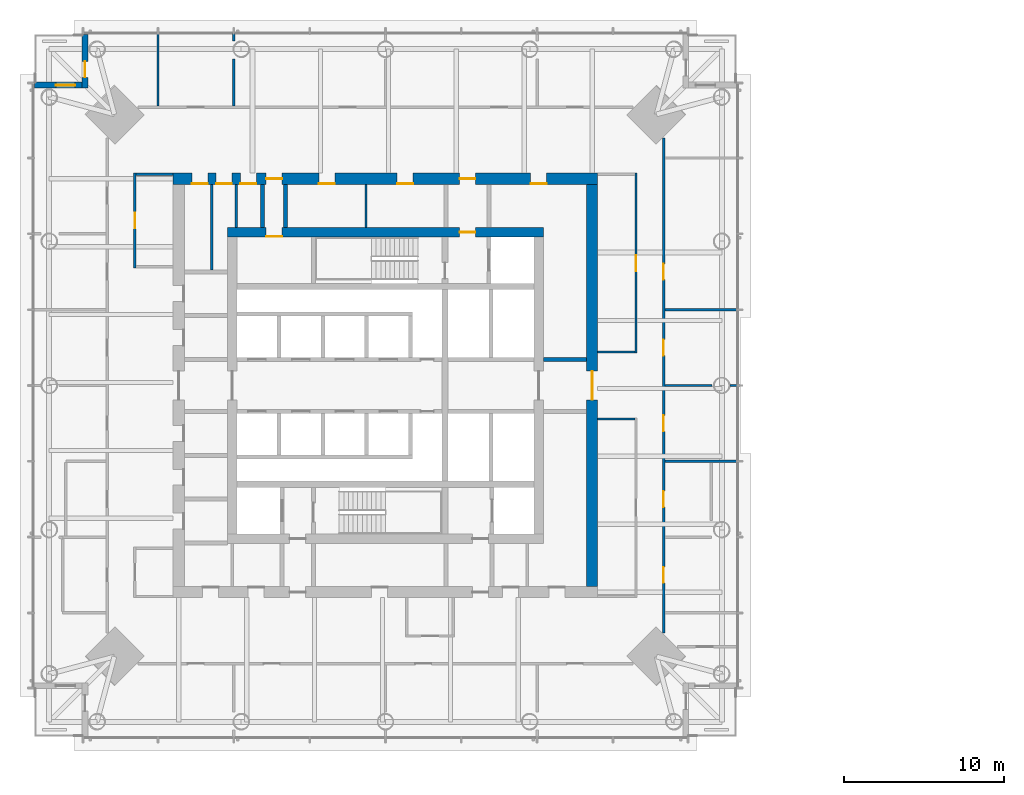
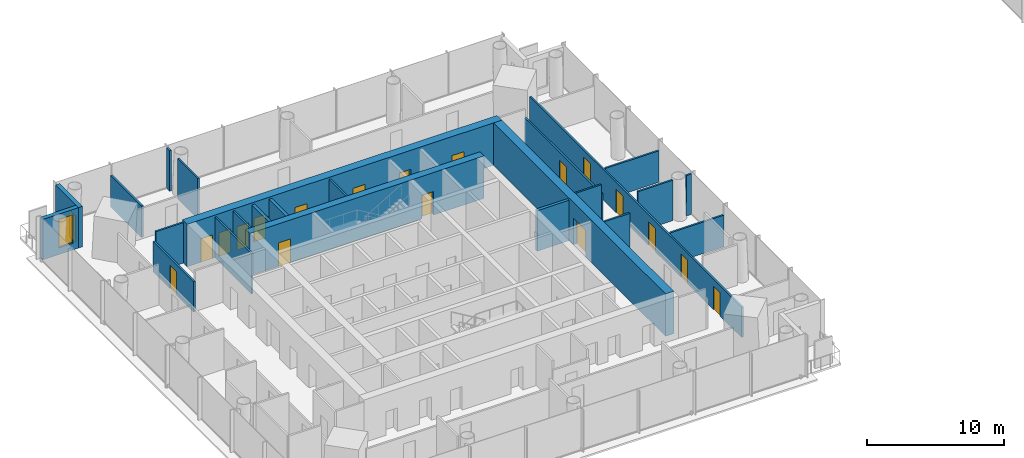
# One storey, part 11 of 27: 24 walls, 19 doors, 1 window, 20 openings.
"""IFC4 building model written with IfcOpenShell, lengths in metres."""

from ifc_helpers import new_model, si_unit, direction, frame, frame_2d, origin, place, context, subcontext, project, spatial, rectangle, extrude, material, layer, layer_set, type_object, element, fill, save


model = new_model("IFC4")

# Units and contexts
model_context = context("Model", 3, precision=1e-05, world=origin(), true_north=direction((0.0, 1.0)))
body_context = subcontext(model_context, "Body", "Model", "MODEL_VIEW")
ifc_project = project(units=[si_unit("LENGTHUNIT", "METRE"), si_unit("AREAUNIT", "SQUARE_METRE"), si_unit("VOLUMEUNIT", "CUBIC_METRE"), si_unit("PLANEANGLEUNIT", "RADIAN"), si_unit("MASSUNIT", "GRAM", prefix="KILO")], contexts=[model_context])

# Site, building, storey
site_placement = place(None, origin())
site = spatial("IfcSite", under=ifc_project, at=site_placement, CompositionType="ELEMENT")
building_placement = place(site_placement, origin())
building = spatial("IfcBuilding", under=site, at=building_placement, Name="Ostroluk Exchange", CompositionType="ELEMENT")
storey_placement = place(building_placement, frame((0.0, 0.0, 112.199951171875)))
storey = spatial("IfcBuildingStorey", under=building, at=storey_placement, Name="L28", CompositionType="ELEMENT", Elevation=112.199951171875)

# Walls
ifc_material_1 = material(Name="Concrete blockwork", Category="masonry")
ifc_layer_1 = layer(ifc_material_1, 0.14990234375)
ifc_layer_set_1 = layer_set([ifc_layer_1], Name="Blockwork plant room wall 150")
wall_type_1 = type_object("IfcWallType", Name="Blockwork plant room wall 150", PredefinedType="SOLIDWALL", material=ifc_layer_set_1)
wall_1_placement = place(storey_placement, frame((34.118896484375, 53.25, 0.0), z_axis=(0.0, 0.0, 1.0), x_axis=(0.0, 1.0, 0.0)))
element("IfcWall", 1, at=wall_1_placement, inside=storey, type_object=wall_type_1, Name="Core room wall", PredefinedType="SOLIDWALL", context=body_context, shape_type="SweptSolid", body=[
    extrude(rectangle(XDim=5.35009765625, YDim=0.14990234375, at=frame_2d((2.675048828125, 0.0))), origin(), (0.0, 0.0, 1.0), 3.6201171875),
])
for number, where, z_axis, x_axis, name in (
    (2, (35.64697265625, 55.89990234375, 0.0), (0.0, 0.0, 1.0), (0.0, 1.0, 0.0), "Core room wall"),
    (3, (43.777587890625, 55.89990234375, 0.0), (0.0, 0.0, 1.0), (0.0, 1.0, 0.0), "Core room wall"),
):
    element("IfcWall", number, at=place(storey_placement, frame(where, z_axis=z_axis, x_axis=x_axis)), inside=storey, type_object=wall_type_1, Name=name, PredefinedType="SOLIDWALL", context=body_context, shape_type="SweptSolid", body=[
        extrude(rectangle(XDim=2.7001953125, YDim=0.14990234375, at=frame_2d((1.35009765625, 0.0))), origin(), (0.0, 0.0, 1.0), 3.6201171875),
    ])
ifc_material_2 = material(Name="Concrete blockwork", Category="masonry")
ifc_layer_2 = layer(ifc_material_2, 0.25)
ifc_layer_set_2 = layer_set([ifc_layer_2], Name="Blockwork stair enclosure wall 250")
wall_type_2 = type_object("IfcWallType", Name="Blockwork stair enclosure wall 250", PredefinedType="SOLIDWALL", material=ifc_layer_set_2)
for number, where, z_axis, x_axis, name in (
    (4, (54.89990234375, 47.625, 0.0), (0.0, 0.0, 1.0), (1.0, 0.0, 0.0), "Lift lobby enclosure wall"),
    (5, (37.300048828125, 55.89990234375, 0.0), (0.0, 0.0, 1.0), (0.0, 1.0, 0.0), "Core corridor wall"),
    (6, (38.75, 55.89990234375, 0.0), (0.0, 0.0, 1.0), (0.0, 1.0, 0.0), "Core corridor wall"),
):
    element("IfcWall", number, at=place(storey_placement, frame(where, z_axis=z_axis, x_axis=x_axis)), inside=storey, type_object=wall_type_2, Name=name, PredefinedType="SOLIDWALL", context=body_context, shape_type="SweptSolid", body=[
        extrude(rectangle(XDim=2.7001953125, YDim=0.25, at=frame_2d((1.35009765625, 0.0))), origin(), (0.0, 0.0, 1.0), 3.6201171875),
    ])

# Wall, openings, doors
ifc_material_3 = material(Name="Concrete C50/60", Category="concrete")
ifc_layer_3 = layer(ifc_material_3, 0.60009765625)
ifc_layer_set_3 = layer_set([ifc_layer_3], Name="Core wall 600 C50/60")
wall_type_3 = type_object("IfcWallType", Name="Core wall 600 C50/60", PredefinedType="SHEAR", material=ifc_layer_set_3)
wall_2_placement = place(storey_placement, frame((35.10009765625, 55.60009765625, 0.0), z_axis=(0.0, 0.0, 1.0), x_axis=(1.0, 0.0, 0.0)))
wall_2 = element("IfcWall", 7, at=wall_2_placement, inside=storey, type_object=wall_type_3, Name="T1 core wall N", PredefinedType="SHEAR", context=body_context, shape_type="SweptSolid", body=[
    extrude(rectangle(XDim=19.7998046875, YDim=0.60009765625, at=frame_2d((9.89990234375, 0.0))), origin(), (0.0, 0.0, 1.0), 3.800048828125),
])
opening_1_placement = place(wall_2_placement, frame((14.5400390625, 0.0, 0.0)))
opening_1 = element("IfcOpeningElement", 8, at=opening_1_placement, cuts=wall_2, Name="Opening FD60", PredefinedType="OPENING", context=body_context, shape_type="SweptSolid", body=[
    extrude(rectangle(XDim=1.0, YDim=2.10009765625, at=frame_2d((0.5, 1.050048828125))), frame((0.0, 0.31005859375, 0.0), z_axis=(0.0, -1.0, 0.0), x_axis=(1.0, 0.0, 0.0)), (0.0, 0.0, 1.0), 0.6201171875),
])
opening_2_placement = place(wall_2_placement, frame((2.425048828125, 0.0, 0.0)))
opening_2 = element("IfcOpeningElement", 9, at=opening_2_placement, cuts=wall_2, Name="Opening FD60", PredefinedType="OPENING", context=body_context, shape_type="SweptSolid", body=[
    extrude(rectangle(XDim=1.0, YDim=2.10009765625, at=frame_2d((0.5, 1.050048828125))), frame((0.0, 0.31005859375, 0.0), z_axis=(0.0, -1.0, 0.0), x_axis=(1.0, 0.0, 0.0)), (0.0, 0.0, 1.0), 0.6201171875),
])
ifc_material_4 = material(Name="Steel", Category="steel")
door_type_1 = type_object("IfcDoorType", Name="Fire door EI 60 1000 x 2100", OperationType="SINGLE_SWING_LEFT", PredefinedType="DOOR", material=ifc_material_4)
door_1_placement = place(opening_1_placement, origin())
door_1 = element("IfcDoor", 10, at=door_1_placement, inside=storey, type_object=door_type_1, Name="Firefighting lobby door", OperationType="SINGLE_SWING_RIGHT", OverallHeight=2.10009765625, OverallWidth=1.0, PredefinedType="DOOR", context=body_context, shape_type="SweptSolid", body=[
    extrude(rectangle(XDim=1.0, YDim=2.10009765625, at=frame_2d((0.5, 1.050048828125))), frame((0.0, 0.02490234375, 0.0), z_axis=(0.0, -1.0, 0.0), x_axis=(1.0, 0.0, 0.0)), (0.0, 0.0, 1.0), 0.050048828125),
])
fill(opening_1, door_1)
door_2_placement = place(opening_2_placement, origin())
door_2 = element("IfcDoor", 11, at=door_2_placement, inside=storey, type_object=door_type_1, Name="Tea point door", OperationType="SINGLE_SWING_LEFT", OverallHeight=2.10009765625, OverallWidth=1.0, PredefinedType="DOOR", context=body_context, shape_type="SweptSolid", body=[
    extrude(rectangle(XDim=1.0, YDim=2.10009765625, at=frame_2d((0.5, 1.050048828125))), frame((0.0, -0.23974609375, 0.0), z_axis=(0.0, -1.0, 0.0), x_axis=(1.0, 0.0, 0.0)), (0.0, 0.0, 1.0), 0.050048828125),
])
fill(opening_2, door_2)

ifc_material_5 = material(Name="Concrete C50/60", Category="concrete")
ifc_layer_4 = layer(ifc_material_5, 0.699951171875)
ifc_layer_set_4 = layer_set([ifc_layer_4], Name="Core wall 700 C50/60")
wall_type_4 = type_object("IfcWallType", Name="Core wall 700 C50/60", PredefinedType="SHEAR", material=ifc_layer_set_4)
wall_3_placement = place(storey_placement, frame((31.699951171875, 58.949951171875, 0.0), z_axis=(0.0, 0.0, 1.0), x_axis=(1.0, 0.0, 0.0)))
wall_3 = element("IfcWall", 12, at=wall_3_placement, inside=storey, type_object=wall_type_4, Name="T1 core wall RN", PredefinedType="SHEAR", context=body_context, shape_type="SweptSolid", body=[
    extrude(rectangle(XDim=26.60009765625, YDim=0.699951171875, at=frame_2d((13.300048828125, 0.0))), origin(), (0.0, 0.0, 1.0), 3.800048828125),
])
opening_3_placement = place(wall_3_placement, frame((17.93994140625, 0.0, 0.0)))
opening_3 = element("IfcOpeningElement", 13, at=opening_3_placement, cuts=wall_3, Name="Opening FD60", PredefinedType="OPENING", context=body_context, shape_type="SweptSolid", body=[
    extrude(rectangle(XDim=1.0, YDim=2.10009765625, at=frame_2d((0.5, 1.050048828125))), frame((0.0, 0.35986328125, 0.0), z_axis=(0.0, -1.0, 0.0), x_axis=(1.0, 0.0, 0.0)), (0.0, 0.0, 1.0), 0.719970703125),
])
opening_4_placement = place(wall_3_placement, frame((5.824951171875, 0.0, 0.0)))
opening_4 = element("IfcOpeningElement", 14, at=opening_4_placement, cuts=wall_3, Name="Opening FD60", PredefinedType="OPENING", context=body_context, shape_type="SweptSolid", body=[
    extrude(rectangle(XDim=1.0, YDim=2.10009765625, at=frame_2d((0.5, 1.050048828125))), frame((0.0, 0.35986328125, 0.0), z_axis=(0.0, -1.0, 0.0), x_axis=(1.0, 0.0, 0.0)), (0.0, 0.0, 1.0), 0.719970703125),
])
opening_5_placement = place(wall_3_placement, frame((1.1689453125, 0.0, 0.0)))
opening_5 = element("IfcOpeningElement", 15, at=opening_5_placement, cuts=wall_3, Name="Opening FD60", PredefinedType="OPENING", context=body_context, shape_type="SweptSolid", body=[
    extrude(rectangle(XDim=1.0, YDim=2.10009765625, at=frame_2d((0.5, 1.050048828125))), frame((0.0, 0.35986328125, 0.0), z_axis=(0.0, -1.0, 0.0), x_axis=(1.0, 0.0, 0.0)), (0.0, 0.0, 1.0), 0.719970703125),
])
opening_6_placement = place(wall_3_placement, frame((2.68310546875, 0.0, 0.0)))
opening_6 = element("IfcOpeningElement", 16, at=opening_6_placement, cuts=wall_3, Name="Opening FD60", PredefinedType="OPENING", context=body_context, shape_type="SweptSolid", body=[
    extrude(rectangle(XDim=1.0, YDim=2.10009765625, at=frame_2d((0.5, 1.050048828125))), frame((0.0, 0.35986328125, 0.0), z_axis=(0.0, -1.0, 0.0), x_axis=(1.0, 0.0, 0.0)), (0.0, 0.0, 1.0), 0.719970703125),
])
opening_7_placement = place(wall_3_placement, frame((4.2109375, 0.0, 0.0)))
opening_7 = element("IfcOpeningElement", 17, at=opening_7_placement, cuts=wall_3, Name="Opening FD60", PredefinedType="OPENING", context=body_context, shape_type="SweptSolid", body=[
    extrude(rectangle(XDim=1.0, YDim=2.10009765625, at=frame_2d((0.5, 1.050048828125))), frame((0.0, 0.35986328125, 0.0), z_axis=(0.0, -1.0, 0.0), x_axis=(1.0, 0.0, 0.0)), (0.0, 0.0, 1.0), 0.719970703125),
])
opening_8_placement = place(wall_3_placement, frame((9.126220703125, 0.0, 0.0)))
opening_8 = element("IfcOpeningElement", 18, at=opening_8_placement, cuts=wall_3, Name="Opening FD60", PredefinedType="OPENING", context=body_context, shape_type="SweptSolid", body=[
    extrude(rectangle(XDim=1.0, YDim=2.10009765625, at=frame_2d((0.5, 1.050048828125))), frame((0.0, 0.35986328125, 0.0), z_axis=(0.0, -1.0, 0.0), x_axis=(1.0, 0.0, 0.0)), (0.0, 0.0, 1.0), 0.719970703125),
])
opening_9_placement = place(wall_3_placement, frame((14.02880859375, 0.0, 0.0)))
opening_9 = element("IfcOpeningElement", 19, at=opening_9_placement, cuts=wall_3, Name="Opening FD60", PredefinedType="OPENING", context=body_context, shape_type="SweptSolid", body=[
    extrude(rectangle(XDim=1.0, YDim=2.10009765625, at=frame_2d((0.5, 1.050048828125))), frame((0.0, 0.35986328125, 0.0), z_axis=(0.0, -1.0, 0.0), x_axis=(1.0, 0.0, 0.0)), (0.0, 0.0, 1.0), 0.719970703125),
])
opening_10_placement = place(wall_3_placement, frame((22.39990234375, 0.0, 0.0)))
opening_10 = element("IfcOpeningElement", 20, at=opening_10_placement, cuts=wall_3, Name="Opening FD60", PredefinedType="OPENING", context=body_context, shape_type="SweptSolid", body=[
    extrude(rectangle(XDim=1.0, YDim=2.10009765625, at=frame_2d((0.5, 1.050048828125))), frame((0.0, 0.35986328125, 0.0), z_axis=(0.0, -1.0, 0.0), x_axis=(1.0, 0.0, 0.0)), (0.0, 0.0, 1.0), 0.719970703125),
])
door_3_placement = place(opening_3_placement, origin())
door_3 = element("IfcDoor", 21, at=door_3_placement, inside=storey, type_object=door_type_1, Name="Firefighting lobby door", OperationType="SINGLE_SWING_RIGHT", OverallHeight=2.10009765625, OverallWidth=1.0, PredefinedType="DOOR", context=body_context, shape_type="SweptSolid", body=[
    extrude(rectangle(XDim=1.0, YDim=2.10009765625, at=frame_2d((0.5, 1.050048828125))), frame((0.0, 0.02490234375, 0.0), z_axis=(0.0, -1.0, 0.0), x_axis=(1.0, 0.0, 0.0)), (0.0, 0.0, 1.0), 0.050048828125),
])
fill(opening_3, door_3)
door_4_placement = place(opening_4_placement, origin())
door_4 = element("IfcDoor", 22, at=door_4_placement, inside=storey, type_object=door_type_1, Name="Core corridor door", OperationType="SINGLE_SWING_LEFT", OverallHeight=2.10009765625, OverallWidth=1.0, PredefinedType="DOOR", context=body_context, shape_type="SweptSolid", body=[
    extrude(rectangle(XDim=1.0, YDim=2.10009765625, at=frame_2d((0.5, 1.050048828125))), frame((0.0, 0.02490234375, 0.0), z_axis=(0.0, -1.0, 0.0), x_axis=(1.0, 0.0, 0.0)), (0.0, 0.0, 1.0), 0.050048828125),
])
fill(opening_4, door_4)
door_5_placement = place(opening_5_placement, origin())
door_5 = element("IfcDoor", 23, at=door_5_placement, inside=storey, type_object=door_type_1, Name="Tenant IT room door", OperationType="SINGLE_SWING_LEFT", OverallHeight=2.10009765625, OverallWidth=1.0, PredefinedType="DOOR", context=body_context, shape_type="SweptSolid", body=[
    extrude(rectangle(XDim=1.0, YDim=2.10009765625, at=frame_2d((0.5, 1.050048828125))), frame((0.0, -0.2900390625, 0.0), z_axis=(0.0, -1.0, 0.0), x_axis=(1.0, 0.0, 0.0)), (0.0, 0.0, 1.0), 0.050048828125),
])
fill(opening_5, door_5)
door_6_placement = place(opening_6_placement, origin())
door_6 = element("IfcDoor", 24, at=door_6_placement, inside=storey, type_object=door_type_1, Name="First aid room door", OperationType="SINGLE_SWING_LEFT", OverallHeight=2.10009765625, OverallWidth=1.0, PredefinedType="DOOR", context=body_context, shape_type="SweptSolid", body=[
    extrude(rectangle(XDim=1.0, YDim=2.10009765625, at=frame_2d((0.5, 1.050048828125))), frame((0.0, -0.2900390625, 0.0), z_axis=(0.0, -1.0, 0.0), x_axis=(1.0, 0.0, 0.0)), (0.0, 0.0, 1.0), 0.050048828125),
])
fill(opening_6, door_6)
door_7_placement = place(opening_7_placement, origin())
door_7 = element("IfcDoor", 25, at=door_7_placement, inside=storey, type_object=door_type_1, Name="Store door", OperationType="SINGLE_SWING_LEFT", OverallHeight=2.10009765625, OverallWidth=1.0, PredefinedType="DOOR", context=body_context, shape_type="SweptSolid", body=[
    extrude(rectangle(XDim=1.0, YDim=2.10009765625, at=frame_2d((0.5, 1.050048828125))), frame((0.0, -0.2900390625, 0.0), z_axis=(0.0, -1.0, 0.0), x_axis=(1.0, 0.0, 0.0)), (0.0, 0.0, 1.0), 0.050048828125),
])
fill(opening_7, door_7)
door_8_placement = place(opening_8_placement, origin())
door_8 = element("IfcDoor", 26, at=door_8_placement, inside=storey, type_object=door_type_1, Name="Print and post room door", OperationType="SINGLE_SWING_LEFT", OverallHeight=2.10009765625, OverallWidth=1.0, PredefinedType="DOOR", context=body_context, shape_type="SweptSolid", body=[
    extrude(rectangle(XDim=1.0, YDim=2.10009765625, at=frame_2d((0.5, 1.050048828125))), frame((0.0, -0.2900390625, 0.0), z_axis=(0.0, -1.0, 0.0), x_axis=(1.0, 0.0, 0.0)), (0.0, 0.0, 1.0), 0.050048828125),
])
fill(opening_8, door_8)
door_9_placement = place(opening_9_placement, origin())
door_9 = element("IfcDoor", 27, at=door_9_placement, inside=storey, type_object=door_type_1, Name="Archive door", OperationType="SINGLE_SWING_RIGHT", OverallHeight=2.10009765625, OverallWidth=1.0, PredefinedType="DOOR", context=body_context, shape_type="SweptSolid", body=[
    extrude(rectangle(XDim=1.0, YDim=2.10009765625, at=frame_2d((0.5, 1.050048828125))), frame((0.0, -0.2900390625, 0.0), z_axis=(0.0, -1.0, 0.0), x_axis=(1.0, 0.0, 0.0)), (0.0, 0.0, 1.0), 0.050048828125),
])
fill(opening_9, door_9)
door_10_placement = place(opening_10_placement, origin())
door_10 = element("IfcDoor", 28, at=door_10_placement, inside=storey, type_object=door_type_1, Name="First aid room door", OperationType="SINGLE_SWING_RIGHT", OverallHeight=2.10009765625, OverallWidth=1.0, PredefinedType="DOOR", context=body_context, shape_type="SweptSolid", body=[
    extrude(rectangle(XDim=1.0, YDim=2.10009765625, at=frame_2d((0.5, 1.050048828125))), frame((0.0, -0.2900390625, 0.0), z_axis=(0.0, -1.0, 0.0), x_axis=(1.0, 0.0, 0.0)), (0.0, 0.0, 1.0), 0.050048828125),
])
fill(opening_10, door_10)

# Wall, opening, door
wall_4_placement = place(storey_placement, frame((57.949951171875, 33.39990234375, 0.0), z_axis=(0.0, 0.0, 1.0), x_axis=(0.0, 1.0, 0.0)))
wall_4 = element("IfcWall", 29, at=wall_4_placement, inside=storey, type_object=wall_type_4, Name="T1 core wall RE", PredefinedType="SHEAR", context=body_context, shape_type="SweptSolid", body=[
    extrude(rectangle(XDim=25.2001953125, YDim=0.699951171875, at=frame_2d((12.60009765625, 0.0))), origin(), (0.0, 0.0, 1.0), 3.800048828125),
])
opening_11_placement = place(wall_4_placement, frame((11.699951171875, 0.0, 0.0)))
opening_11 = element("IfcOpeningElement", 30, at=opening_11_placement, cuts=wall_4, Name="Opening FD30D", PredefinedType="OPENING", context=body_context, shape_type="SweptSolid", body=[
    extrude(rectangle(XDim=1.800048828125, YDim=2.39990234375, at=frame_2d((0.89990234375, 1.199951171875))), frame((0.0, 0.35986328125, 0.0), z_axis=(0.0, -1.0, 0.0), x_axis=(1.0, 0.0, 0.0)), (0.0, 0.0, 1.0), 0.719970703125),
])
ifc_material_6 = material(Name="Timber", Category="wood")
door_type_2 = type_object("IfcDoorType", Name="Lobby double door EI 30 1800 x 2400", OperationType="DOUBLE_DOOR_SINGLE_SWING", PredefinedType="DOOR", material=ifc_material_6)
door_11_placement = place(opening_11_placement, origin())
door_11 = element("IfcDoor", 31, at=door_11_placement, inside=storey, type_object=door_type_2, Name="Lift lobby doors", OperationType="DOUBLE_DOOR_SINGLE_SWING", OverallHeight=2.39990234375, OverallWidth=1.800048828125, PredefinedType="DOOR", context=body_context, shape_type="SweptSolid", body=[
    extrude(rectangle(XDim=1.800048828125, YDim=2.39990234375, at=frame_2d((0.89990234375, 1.199951171875))), frame((0.0, 0.02490234375, 0.0), z_axis=(0.0, -1.0, 0.0), x_axis=(1.0, 0.0, 0.0)), (0.0, 0.0, 1.0), 0.050048828125),
])
fill(opening_11, door_11)

ifc_material_7 = material(Name="Limestone", Category="masonry")
ifc_layer_5 = layer(ifc_material_7, 0.35009765625)
ifc_layer_set_5 = layer_set([ifc_layer_5], Name="Limestone facade wall 350")
wall_type_5 = type_object("IfcWallType", Name="Limestone facade wall 350", PredefinedType="SOLIDWALL", material=ifc_layer_set_5)
wall_5_placement = place(storey_placement, frame((26.175048828125, 68.0, 0.0), z_axis=(0.0, 0.0, 1.0), x_axis=(0.0, -1.0, 0.0)))
wall_5 = element("IfcWall", 32, at=wall_5_placement, inside=storey, type_object=wall_type_5, Name="Office tower NW corner wall L28 a", PredefinedType="SOLIDWALL", context=body_context, shape_type="SweptSolid", body=[
    extrude(rectangle(XDim=3.35009765625, YDim=0.35009765625, at=frame_2d((1.675048828125, 0.0))), origin(), (0.0, 0.0, 1.0), 3.6201171875),
])
opening_12_placement = place(wall_5_placement, frame((1.699951171875, 0.0, 0.0)))
opening_12 = element("IfcOpeningElement", 33, at=opening_12_placement, cuts=wall_5, Name="Opening D-B1", PredefinedType="OPENING", context=body_context, shape_type="SweptSolid", body=[
    extrude(rectangle(XDim=1.0, YDim=2.39990234375, at=frame_2d((0.5, 1.199951171875))), frame((0.0, 0.18505859375, 0.0), z_axis=(0.0, -1.0, 0.0), x_axis=(1.0, 0.0, 0.0)), (0.0, 0.0, 1.0), 0.3701171875),
])
ifc_material_8 = material(Name="Bronze framed glazed door", Category="aluminium")
door_type_3 = type_object("IfcDoorType", Name="Balcony door 1000 x 2400", OperationType="SINGLE_SWING_LEFT", PredefinedType="DOOR", material=ifc_material_8)
door_12_placement = place(opening_12_placement, origin())
door_12 = element("IfcDoor", 34, at=door_12_placement, inside=storey, type_object=door_type_3, Name="Office tower NW balcony door L28", OperationType="SINGLE_SWING_RIGHT", OverallHeight=2.39990234375, OverallWidth=1.0, PredefinedType="DOOR", context=body_context, shape_type="SweptSolid", body=[
    extrude(rectangle(XDim=1.0, YDim=2.39990234375, at=frame_2d((0.5, 1.199951171875))), frame((0.0, 0.02490234375, 0.0), z_axis=(0.0, -1.0, 0.0), x_axis=(1.0, 0.0, 0.0)), (0.0, 0.0, 1.0), 0.050048828125),
])
fill(opening_12, door_12)

# Wall, opening, window
wall_6_placement = place(storey_placement, frame((26.0, 64.824951171875, 0.0), z_axis=(0.0, 0.0, 1.0), x_axis=(-1.0, 0.0, 0.0)))
wall_6 = element("IfcWall", 35, at=wall_6_placement, inside=storey, type_object=wall_type_5, Name="Office tower NW corner wall L28 b", PredefinedType="SOLIDWALL", context=body_context, shape_type="SweptSolid", body=[
    extrude(rectangle(XDim=3.0, YDim=0.35009765625, at=frame_2d((1.5, 0.0))), origin(), (0.0, 0.0, 1.0), 3.6201171875),
])
opening_13_placement = place(wall_6_placement, frame((0.449951171875, 0.0, 0.60009765625)))
opening_13 = element("IfcOpeningElement", 36, at=opening_13_placement, cuts=wall_6, Name="Opening WN-L1", PredefinedType="OPENING", context=body_context, shape_type="SweptSolid", body=[
    extrude(rectangle(XDim=1.199951171875, YDim=2.550048828125, at=frame_2d((0.60009765625, 1.27490234375))), frame((0.0, 0.18505859375, 0.0), z_axis=(0.0, -1.0, 0.0), x_axis=(1.0, 0.0, 0.0)), (0.0, 0.0, 1.0), 0.3701171875),
])
ifc_material_9 = material(Name="Laminated clear glass", Category="glass")
window_type = type_object("IfcWindowType", Name="Lancet window 1200 x 2550", PartitioningType="SINGLE_PANEL", PredefinedType="WINDOW", material=ifc_material_9)
window_placement = place(opening_13_placement, origin())
window = element("IfcWindow", 37, at=window_placement, inside=storey, type_object=window_type, Name="Office tower NW lancet window L28", OverallHeight=2.550048828125, OverallWidth=1.199951171875, PartitioningType="SINGLE_PANEL", PredefinedType="WINDOW", context=body_context, shape_type="SweptSolid", body=[
    extrude(rectangle(XDim=1.199951171875, YDim=2.550048828125, at=frame_2d((0.60009765625, 1.27490234375))), frame((0.0, 0.030029296875, 0.0), z_axis=(0.0, -1.0, 0.0), x_axis=(1.0, 0.0, 0.0)), (0.0, 0.0, 1.0), 0.06005859375),
])
fill(opening_13, window)

# Wall
ifc_material_10 = material(Name="Gypsum plasterboard partition", Category="gypsum")
ifc_layer_6 = layer(ifc_material_10, 0.14990234375)
ifc_layer_set_6 = layer_set([ifc_layer_6], Name="Plasterboard partition 150")
wall_type_6 = type_object("IfcWallType", Name="Plasterboard partition 150", PredefinedType="PARTITIONING", material=ifc_layer_set_6)
wall_7_placement = place(storey_placement, frame((58.300048828125, 43.89990234375, 0.0), z_axis=(0.0, 0.0, 1.0), x_axis=(1.0, 0.0, 0.0)))
element("IfcWall", 38, at=wall_7_placement, inside=storey, type_object=wall_type_6, Name="Partition", PredefinedType="PARTITIONING", context=body_context, shape_type="SweptSolid", body=[
    extrude(rectangle(XDim=2.324951171875, YDim=0.14990234375, at=frame_2d((1.16259765625, 0.0))), origin(), (0.0, 0.0, 1.0), 3.6201171875),
])

# Wall, opening, door
wall_8_placement = place(storey_placement, frame((60.699951171875, 48.02490234375, 0.0), z_axis=(0.0, 0.0, 1.0), x_axis=(0.0, 1.0, 0.0)))
wall_8 = element("IfcWall", 39, at=wall_8_placement, inside=storey, type_object=wall_type_6, Name="Partition", PredefinedType="PARTITIONING", context=body_context, shape_type="SweptSolid", body=[
    extrude(rectangle(XDim=11.275146484375, YDim=0.14990234375, at=frame_2d((5.6376953125, 0.0))), origin(), (0.0, 0.0, 1.0), 2.80615234375),
])
opening_14_placement = place(wall_8_placement, frame((5.137451171875, 0.0, 0.0)))
opening_14 = element("IfcOpeningElement", 40, at=opening_14_placement, cuts=wall_8, Name="Opening D-03", PredefinedType="OPENING", context=body_context, shape_type="SweptSolid", body=[
    extrude(rectangle(XDim=1.0, YDim=2.10009765625, at=frame_2d((0.5, 1.050048828125))), frame((0.0, 0.0849609375, 0.0), z_axis=(0.0, -1.0, 0.0), x_axis=(1.0, 0.0, 0.0)), (0.0, 0.0, 1.0), 0.169921875),
])
ifc_material_11 = material(Name="Timber", Category="wood")
door_type_4 = type_object("IfcDoorType", Name="Internal door 1000 x 2100", OperationType="SINGLE_SWING_LEFT", PredefinedType="DOOR", material=ifc_material_11)
door_13_placement = place(opening_14_placement, origin())
door_13 = element("IfcDoor", 41, at=door_13_placement, inside=storey, type_object=door_type_4, Name="Project room door", OperationType="SINGLE_SWING_RIGHT", OverallHeight=2.10009765625, OverallWidth=1.0, PredefinedType="DOOR", context=body_context, shape_type="SweptSolid", body=[
    extrude(rectangle(XDim=1.0, YDim=2.10009765625, at=frame_2d((0.5, 1.050048828125))), frame((0.0, 0.02490234375, 0.0), z_axis=(0.0, -1.0, 0.0), x_axis=(1.0, 0.0, 0.0)), (0.0, 0.0, 1.0), 0.050048828125),
])
fill(opening_14, door_13)

# Wall
wall_9_placement = place(storey_placement, frame((58.300048828125, 48.10009765625, 0.0), z_axis=(0.0, 0.0, 1.0), x_axis=(1.0, 0.0, 0.0)))
element("IfcWall", 42, at=wall_9_placement, inside=storey, type_object=wall_type_6, Name="Partition", PredefinedType="PARTITIONING", context=body_context, shape_type="SweptSolid", body=[
    extrude(rectangle(XDim=2.324951171875, YDim=0.14990234375, at=frame_2d((1.16259765625, 0.0))), origin(), (0.0, 0.0, 1.0), 3.6201171875),
])

# Wall, opening, door
wall_10_placement = place(storey_placement, frame((29.300048828125, 59.300048828125, 0.0), z_axis=(0.0, 0.0, 1.0), x_axis=(0.0, -1.0, 0.0)))
wall_10 = element("IfcWall", 43, at=wall_10_placement, inside=storey, type_object=wall_type_6, Name="Partition", PredefinedType="PARTITIONING", context=body_context, shape_type="SweptSolid", body=[
    extrude(rectangle(XDim=5.925048828125, YDim=0.14990234375, at=frame_2d((2.96240234375, 0.0))), origin(), (0.0, 0.0, 1.0), 2.719970703125),
])
opening_15_placement = place(wall_10_placement, frame((2.46240234375, 0.0, 0.0)))
opening_15 = element("IfcOpeningElement", 44, at=opening_15_placement, cuts=wall_10, Name="Opening D-03", PredefinedType="OPENING", context=body_context, shape_type="SweptSolid", body=[
    extrude(rectangle(XDim=1.0, YDim=2.10009765625, at=frame_2d((0.5, 1.050048828125))), frame((0.0, 0.0849609375, 0.0), z_axis=(0.0, -1.0, 0.0), x_axis=(1.0, 0.0, 0.0)), (0.0, 0.0, 1.0), 0.169921875),
])
door_14_placement = place(opening_15_placement, origin())
door_14 = element("IfcDoor", 45, at=door_14_placement, inside=storey, type_object=door_type_4, Name="Project room door", OperationType="SINGLE_SWING_RIGHT", OverallHeight=2.10009765625, OverallWidth=1.0, PredefinedType="DOOR", context=body_context, shape_type="SweptSolid", body=[
    extrude(rectangle(XDim=1.0, YDim=2.10009765625, at=frame_2d((0.5, 1.050048828125))), frame((0.0, 0.02490234375, 0.0), z_axis=(0.0, -1.0, 0.0), x_axis=(1.0, 0.0, 0.0)), (0.0, 0.0, 1.0), 0.050048828125),
])
fill(opening_15, door_14)

# Wall
wall_11_placement = place(storey_placement, frame((31.699951171875, 59.22509765625, 0.0), z_axis=(0.0, 0.0, 1.0), x_axis=(-1.0, 0.0, 0.0)))
element("IfcWall", 46, at=wall_11_placement, inside=storey, type_object=wall_type_6, Name="Partition", PredefinedType="PARTITIONING", context=body_context, shape_type="SweptSolid", body=[
    extrude(rectangle(XDim=2.324951171875, YDim=0.14990234375, at=frame_2d((1.16259765625, 0.0))), origin(), (0.0, 0.0, 1.0), 3.6201171875),
])

# Wall, openings, doors
wall_12_placement = place(storey_placement, frame((62.425048828125, 30.488525390625, 0.0), z_axis=(0.0, 0.0, 1.0), x_axis=(0.0, 1.0, 0.0)))
wall_12 = element("IfcWall", 47, at=wall_12_placement, inside=storey, type_object=wall_type_6, Name="Partition", PredefinedType="PARTITIONING", context=body_context, shape_type="SweptSolid", body=[
    extrude(rectangle(XDim=31.02294921875, YDim=0.14990234375, at=frame_2d((15.511474609375, 0.0))), origin(), (0.0, 0.0, 1.0), 2.719970703125),
])
opening_16_placement = place(wall_12_placement, frame((3.136474609375, 0.0, 0.0)))
opening_16 = element("IfcOpeningElement", 48, at=opening_16_placement, cuts=wall_12, Name="Opening D-03", PredefinedType="OPENING", context=body_context, shape_type="SweptSolid", body=[
    extrude(rectangle(XDim=1.0, YDim=2.10009765625, at=frame_2d((0.5, 1.050048828125))), frame((0.0, 0.0849609375, 0.0), z_axis=(0.0, -1.0, 0.0), x_axis=(1.0, 0.0, 0.0)), (0.0, 0.0, 1.0), 0.169921875),
])
opening_17_placement = place(wall_12_placement, frame((7.886474609375, 0.0, 0.0)))
opening_17 = element("IfcOpeningElement", 49, at=opening_17_placement, cuts=wall_12, Name="Opening D-03", PredefinedType="OPENING", context=body_context, shape_type="SweptSolid", body=[
    extrude(rectangle(XDim=1.0, YDim=2.10009765625, at=frame_2d((0.5, 1.050048828125))), frame((0.0, 0.0849609375, 0.0), z_axis=(0.0, -1.0, 0.0), x_axis=(1.0, 0.0, 0.0)), (0.0, 0.0, 1.0), 0.169921875),
])
opening_18_placement = place(wall_12_placement, frame((12.636474609375, 0.0, 0.0)))
opening_18 = element("IfcOpeningElement", 50, at=opening_18_placement, cuts=wall_12, Name="Opening D-03", PredefinedType="OPENING", context=body_context, shape_type="SweptSolid", body=[
    extrude(rectangle(XDim=1.0, YDim=2.10009765625, at=frame_2d((0.5, 1.050048828125))), frame((0.0, 0.0849609375, 0.0), z_axis=(0.0, -1.0, 0.0), x_axis=(1.0, 0.0, 0.0)), (0.0, 0.0, 1.0), 0.169921875),
])
opening_19_placement = place(wall_12_placement, frame((17.386474609375, 0.0, 0.0)))
opening_19 = element("IfcOpeningElement", 51, at=opening_19_placement, cuts=wall_12, Name="Opening D-03", PredefinedType="OPENING", context=body_context, shape_type="SweptSolid", body=[
    extrude(rectangle(XDim=1.0, YDim=2.10009765625, at=frame_2d((0.5, 1.050048828125))), frame((0.0, 0.0849609375, 0.0), z_axis=(0.0, -1.0, 0.0), x_axis=(1.0, 0.0, 0.0)), (0.0, 0.0, 1.0), 0.169921875),
])
opening_20_placement = place(wall_12_placement, frame((22.136474609375, 0.0, 0.0)))
opening_20 = element("IfcOpeningElement", 52, at=opening_20_placement, cuts=wall_12, Name="Opening D-03", PredefinedType="OPENING", context=body_context, shape_type="SweptSolid", body=[
    extrude(rectangle(XDim=1.0, YDim=2.10009765625, at=frame_2d((0.5, 1.050048828125))), frame((0.0, 0.0849609375, 0.0), z_axis=(0.0, -1.0, 0.0), x_axis=(1.0, 0.0, 0.0)), (0.0, 0.0, 1.0), 0.169921875),
])
door_15_placement = place(opening_16_placement, origin())
door_15 = element("IfcDoor", 53, at=door_15_placement, inside=storey, type_object=door_type_4, Name="Office door", OperationType="SINGLE_SWING_LEFT", OverallHeight=2.10009765625, OverallWidth=1.0, PredefinedType="DOOR", context=body_context, shape_type="SweptSolid", body=[
    extrude(rectangle(XDim=1.0, YDim=2.10009765625, at=frame_2d((0.5, 1.050048828125))), frame((0.0, 0.02490234375, 0.0), z_axis=(0.0, -1.0, 0.0), x_axis=(1.0, 0.0, 0.0)), (0.0, 0.0, 1.0), 0.050048828125),
])
fill(opening_16, door_15)
door_16_placement = place(opening_17_placement, origin())
door_16 = element("IfcDoor", 54, at=door_16_placement, inside=storey, type_object=door_type_4, Name="Focus room door", OperationType="SINGLE_SWING_LEFT", OverallHeight=2.10009765625, OverallWidth=1.0, PredefinedType="DOOR", context=body_context, shape_type="SweptSolid", body=[
    extrude(rectangle(XDim=1.0, YDim=2.10009765625, at=frame_2d((0.5, 1.050048828125))), frame((0.0, 0.02490234375, 0.0), z_axis=(0.0, -1.0, 0.0), x_axis=(1.0, 0.0, 0.0)), (0.0, 0.0, 1.0), 0.050048828125),
])
fill(opening_17, door_16)
door_17_placement = place(opening_18_placement, origin())
door_17 = element("IfcDoor", 55, at=door_17_placement, inside=storey, type_object=door_type_4, Name="Pantry door", OperationType="SINGLE_SWING_LEFT", OverallHeight=2.10009765625, OverallWidth=1.0, PredefinedType="DOOR", context=body_context, shape_type="SweptSolid", body=[
    extrude(rectangle(XDim=1.0, YDim=2.10009765625, at=frame_2d((0.5, 1.050048828125))), frame((0.0, 0.02490234375, 0.0), z_axis=(0.0, -1.0, 0.0), x_axis=(1.0, 0.0, 0.0)), (0.0, 0.0, 1.0), 0.050048828125),
])
fill(opening_18, door_17)
door_18_placement = place(opening_19_placement, origin())
door_18 = element("IfcDoor", 56, at=door_18_placement, inside=storey, type_object=door_type_4, Name="Meeting room door", OperationType="SINGLE_SWING_RIGHT", OverallHeight=2.10009765625, OverallWidth=1.0, PredefinedType="DOOR", context=body_context, shape_type="SweptSolid", body=[
    extrude(rectangle(XDim=1.0, YDim=2.10009765625, at=frame_2d((0.5, 1.050048828125))), frame((0.0, 0.02490234375, 0.0), z_axis=(0.0, -1.0, 0.0), x_axis=(1.0, 0.0, 0.0)), (0.0, 0.0, 1.0), 0.050048828125),
])
fill(opening_19, door_18)
door_19_placement = place(opening_20_placement, origin())
door_19 = element("IfcDoor", 57, at=door_19_placement, inside=storey, type_object=door_type_4, Name="Office door", OperationType="SINGLE_SWING_RIGHT", OverallHeight=2.10009765625, OverallWidth=1.0, PredefinedType="DOOR", context=body_context, shape_type="SweptSolid", body=[
    extrude(rectangle(XDim=1.0, YDim=2.10009765625, at=frame_2d((0.5, 1.050048828125))), frame((0.0, 0.02490234375, 0.0), z_axis=(0.0, -1.0, 0.0), x_axis=(1.0, 0.0, 0.0)), (0.0, 0.0, 1.0), 0.050048828125),
])
fill(opening_20, door_19)

# Walls
wall_13_placement = place(storey_placement, frame((62.5, 41.25, 0.0), z_axis=(0.0, 0.0, 1.0), x_axis=(1.0, 0.0, 0.0)))
element("IfcWall", 58, at=wall_13_placement, inside=storey, type_object=wall_type_6, Name="Partition", PredefinedType="PARTITIONING", context=body_context, shape_type="SweptSolid", body=[
    extrude(rectangle(XDim=4.5400390625, YDim=0.14990234375, at=frame_2d((2.27001953125, 0.0))), origin(), (0.0, 0.0, 1.0), 2.820068359375),
])
wall_14_placement = place(storey_placement, frame((62.5, 46.0, 0.0), z_axis=(0.0, 0.0, 1.0), x_axis=(1.0, 0.0, 0.0)))
element("IfcWall", 59, at=wall_14_placement, inside=storey, type_object=wall_type_6, Name="Partition", PredefinedType="PARTITIONING", context=body_context, shape_type="SweptSolid", body=[
    extrude(rectangle(XDim=2.956298828125, YDim=0.14990234375, at=frame_2d((1.47802734375, 0.0))), origin(), (0.0, 0.0, 1.0), 3.6201171875),
])
wall_15_placement = place(storey_placement, frame((66.59375, 46.0, 0.0), z_axis=(0.0, 0.0, 1.0), x_axis=(1.0, 0.0, 0.0)))
element("IfcWall", 60, at=wall_15_placement, inside=storey, type_object=wall_type_6, Name="Partition", PredefinedType="PARTITIONING", context=body_context, shape_type="SweptSolid", body=[
    extrude(rectangle(XDim=0.4462890625, YDim=0.14990234375, at=frame_2d((0.22314453125, 0.0))), origin(), (0.0, 0.0, 1.0), 3.6201171875),
])
wall_16_placement = place(storey_placement, frame((62.5, 50.75, 0.0), z_axis=(0.0, 0.0, 1.0), x_axis=(1.0, 0.0, 0.0)))
element("IfcWall", 61, at=wall_16_placement, inside=storey, type_object=wall_type_6, Name="Partition", PredefinedType="PARTITIONING", context=body_context, shape_type="SweptSolid", body=[
    extrude(rectangle(XDim=4.5400390625, YDim=0.14990234375, at=frame_2d((2.27001953125, 0.0))), origin(), (0.0, 0.0, 1.0), 2.820068359375),
])
wall_17_placement = place(storey_placement, frame((35.5, 63.5, 0.0), z_axis=(0.0, 0.0, 1.0), x_axis=(0.0, 1.0, 0.0)))
element("IfcWall", 62, at=wall_17_placement, inside=storey, type_object=wall_type_6, Name="Partition", PredefinedType="PARTITIONING", context=body_context, shape_type="SweptSolid", body=[
    extrude(rectangle(XDim=2.956298828125, YDim=0.14990234375, at=frame_2d((1.47802734375, 0.0))), origin(), (0.0, 0.0, 1.0), 3.6201171875),
])
wall_18_placement = place(storey_placement, frame((35.5, 67.59375, 0.0), z_axis=(0.0, 0.0, 1.0), x_axis=(0.0, 1.0, 0.0)))
element("IfcWall", 63, at=wall_18_placement, inside=storey, type_object=wall_type_6, Name="Partition", PredefinedType="PARTITIONING", context=body_context, shape_type="SweptSolid", body=[
    extrude(rectangle(XDim=0.4462890625, YDim=0.14990234375, at=frame_2d((0.22314453125, 0.0))), origin(), (0.0, 0.0, 1.0), 3.6201171875),
])
wall_19_placement = place(storey_placement, frame((30.75, 63.5, 0.0), z_axis=(0.0, 0.0, 1.0), x_axis=(0.0, 1.0, 0.0)))
element("IfcWall", 64, at=wall_19_placement, inside=storey, type_object=wall_type_6, Name="Partition", PredefinedType="PARTITIONING", context=body_context, shape_type="SweptSolid", body=[
    extrude(rectangle(XDim=4.5400390625, YDim=0.14990234375, at=frame_2d((2.27001953125, 0.0))), origin(), (0.0, 0.0, 1.0), 2.820068359375),
])

save(model, "model.ifc")
